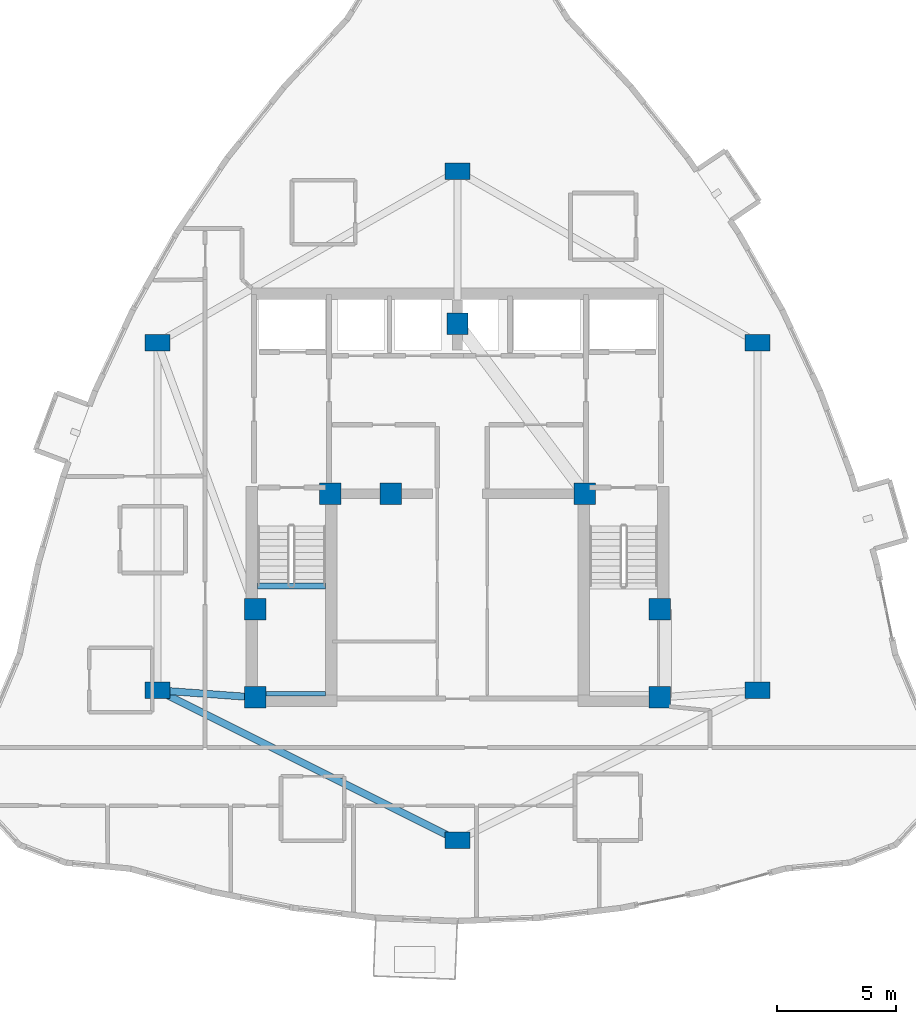
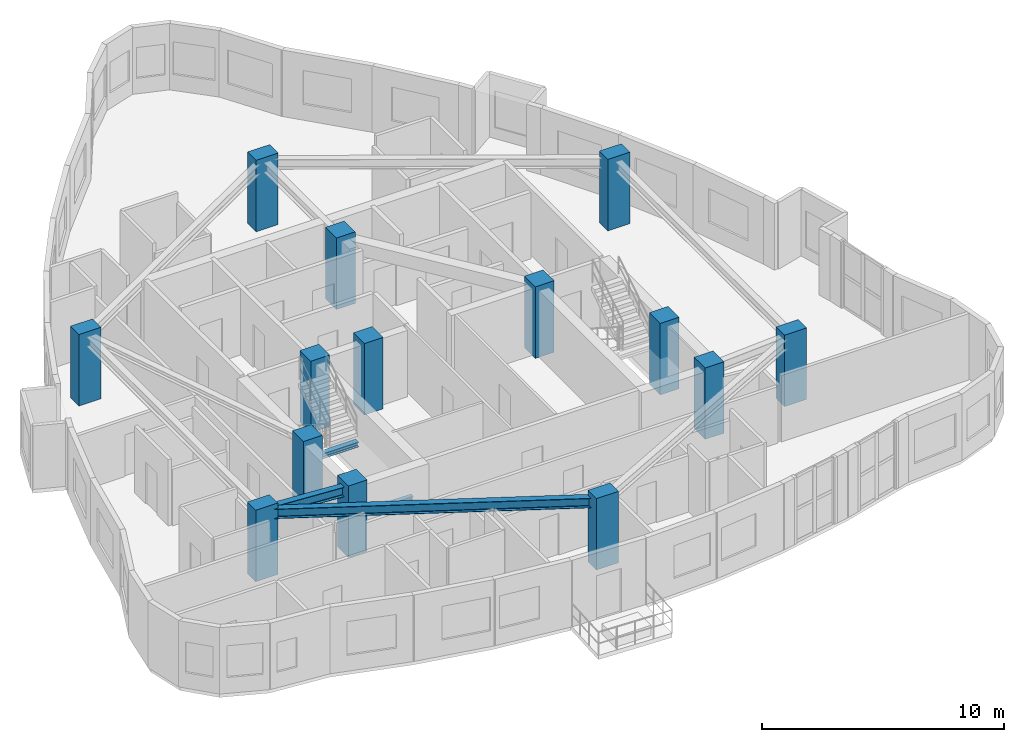
# One storey, part 1 of 15: 14 columns, 4 beams.
"""IFC4 building model written with IfcOpenShell, lengths in metres."""

from ifc_helpers import new_model, si_unit, direction, frame, origin, origin_2d, place, context, subcontext, project, spatial, rectangle, i_section, extrude, material, material_profile, profile_set, type_object, element, save


model = new_model("IFC4")

# Units and contexts
model_context = context("Model", 3, precision=1e-05, world=origin(), true_north=direction((0.0, 1.0)))
body_context = subcontext(model_context, "Body", "Model", "MODEL_VIEW")
ifc_project = project(units=[si_unit("LENGTHUNIT", "METRE"), si_unit("AREAUNIT", "SQUARE_METRE"), si_unit("VOLUMEUNIT", "CUBIC_METRE"), si_unit("PLANEANGLEUNIT", "RADIAN"), si_unit("MASSUNIT", "GRAM", prefix="KILO")], contexts=[model_context])

# Site, building, storey
site_placement = place(None, origin())
site = spatial("IfcSite", under=ifc_project, at=site_placement, CompositionType="ELEMENT")
building_placement = place(site_placement, origin())
building = spatial("IfcBuilding", under=site, at=building_placement, Name="Miruveldt Soraemaru", CompositionType="ELEMENT")
storey_placement = place(building_placement, frame((0.0, 0.0, 234.0)))
storey = spatial("IfcBuildingStorey", under=building, at=storey_placement, Name="L64", CompositionType="ELEMENT", Elevation=234.0)

# Columns
ifc_material_1 = material(Name="Concrete C50/60 (50 MPa)", Category="concrete")
ifc_material_profile_1 = material_profile(ifc_material_1, rectangle(XDim=0.89990234375, YDim=0.89990234375, at=origin_2d()), Name="Concrete C50/60 (50 MPa)", Category="concrete")
ifc_profile_set_1 = profile_set([ifc_material_profile_1], Name="Concrete C50/60 (50 MPa)")
column_type_1 = type_object("IfcColumnType", Name="COL-CORE-900", PredefinedType="COLUMN", material=ifc_profile_set_1)
for number, where, z_axis, x_axis, name in (
    (1, (35.5, 35.5, 0.0), (0.0, 0.0, 1.0), (1.0, 0.0, 0.0), "L64 Structural Column CC1"),
    (2, (38.64990234375, 44.050048828125, 0.0), (0.0, 0.0, 1.0), (1.0, 0.0, 0.0), "L64 Structural Column CC2"),
    (3, (52.5, 35.5, 0.0), (0.0, 0.0, 1.0), (1.0, 0.0, 0.0), "L64 Structural Column CC3"),
    (4, (52.5, 39.199951171875, 0.0), (0.0, 0.0, 1.0), (1.0, 0.0, 0.0), "L64 Structural Column CC4"),
    (5, (49.35009765625, 44.050048828125, 0.0), (0.0, 0.0, 1.0), (1.0, 0.0, 0.0), "L64 Structural Column CC5"),
    (6, (44.0, 51.199951171875, 0.0), (0.0, 0.0, 1.0), (1.0, 0.0, 0.0), "L64 Structural Column CC6"),
    (7, (35.5, 39.199951171875, 0.0), (0.0, 0.0, 1.0), (1.0, 0.0, 0.0), "L64 Structural Column CC7"),
    (8, (41.199951171875, 44.050048828125, 0.0), (0.0, 0.0, 1.0), (1.0, 0.0, 0.0), "L64 Structural Column CC8"),
):
    element("IfcColumn", number, at=place(storey_placement, frame(where, z_axis=z_axis, x_axis=x_axis)), inside=storey, type_object=column_type_1, Name=name, PredefinedType="COLUMN", context=body_context, shape_type="SweptSolid", body=[
        extrude(rectangle(XDim=0.89990234375, YDim=0.89990234375, at=origin_2d()), origin(), (0.0, 0.0, 1.0), 3.60009765625),
    ])
ifc_material_2 = material(Name="Concrete C60/75 (60 MPa)", Category="concrete")
ifc_material_profile_2 = material_profile(ifc_material_2, rectangle(XDim=1.050048828125, YDim=0.699951171875, at=origin_2d()), Name="Concrete C60/75 (60 MPa)", Category="concrete")
ifc_profile_set_2 = profile_set([ifc_material_profile_2], Name="Concrete C60/75 (60 MPa)")
column_type_2 = type_object("IfcColumnType", Name="COL-TW-Z3", PredefinedType="COLUMN", material=ifc_profile_set_2)
for number, where, z_axis, x_axis, name in (
    (9, (44.0, 57.60009765625, 0.0), (0.0, 0.0, 1.0), (1.0, 0.0, 0.0), "L64 Structural Column IR01"),
    (10, (56.60009765625, 50.39990234375, 0.0), (0.0, 0.0, 1.0), (1.0, 0.0, 0.0), "L64 Structural Column IR02"),
    (11, (56.60009765625, 35.800048828125, 0.0), (0.0, 0.0, 1.0), (1.0, 0.0, 0.0), "L64 Structural Column IR03"),
    (12, (44.0, 29.5, 0.0), (0.0, 0.0, 1.0), (1.0, 0.0, 0.0), "L64 Structural Column IR04"),
    (13, (31.39990234375, 35.800048828125, 0.0), (0.0, 0.0, 1.0), (1.0, 0.0, 0.0), "L64 Structural Column IR05"),
    (14, (31.39990234375, 50.39990234375, 0.0), (0.0, 0.0, 1.0), (1.0, 0.0, 0.0), "L64 Structural Column IR06"),
):
    element("IfcColumn", number, at=place(storey_placement, frame(where, z_axis=z_axis, x_axis=x_axis)), inside=storey, type_object=column_type_2, Name=name, PredefinedType="COLUMN", context=body_context, shape_type="SweptSolid", body=[
        extrude(rectangle(XDim=1.050048828125, YDim=0.699951171875, at=origin_2d()), origin(), (0.0, 0.0, 1.0), 3.60009765625),
    ])

# Beams
ifc_material_3 = material(Name="Steel SM355 (355 MPa)", Category="steel")
ifc_material_profile_3 = material_profile(ifc_material_3, i_section(OverallWidth=0.300048828125, OverallDepth=0.488037109375, WebThickness=0.010986328125, FlangeThickness=0.01806640625, FilletRadius=0.02587890625, at=origin_2d()), Name="Steel SM355 (355 MPa)", Category="steel")
ifc_profile_set_3 = profile_set([ifc_material_profile_3], Name="Steel SM355 (355 MPa)")
beam_type_1 = type_object("IfcBeamType", Name="BM-ST-H488", PredefinedType="BEAM", material=ifc_profile_set_3)
beam_1_placement = place(storey_placement, frame((44.0, 29.5, 3.10107421875), z_axis=(-0.894427191, 0.4472135955, 0.0), x_axis=(-0.4472135955, -0.894427191, 0.0)))
element("IfcBeam", 15, at=beam_1_placement, inside=storey, type_object=beam_type_1, Name="L64 Inner Ring Girder 4", PredefinedType="BEAM", context=body_context, shape_type="SweptSolid", body=[
    extrude(i_section(OverallWidth=0.300048828125, OverallDepth=0.488037109375, WebThickness=0.010986328125, FlangeThickness=0.01806640625, FilletRadius=0.02587890625, at=origin_2d()), origin(), (0.0, 0.0, 1.0), 14.08740234375),
])
beam_2_placement = place(storey_placement, frame((35.5, 35.5, 3.10107421875), z_axis=(-0.997332985605, 0.072985723431, 0.0), x_axis=(-0.072985723431, -0.997332985605, 0.0)))
element("IfcBeam", 16, at=beam_2_placement, inside=storey, type_object=beam_type_1, Name="L64 Core-to-Inner Radial Girder 5", PredefinedType="BEAM", context=body_context, shape_type="SweptSolid", body=[
    extrude(i_section(OverallWidth=0.300048828125, OverallDepth=0.488037109375, WebThickness=0.010986328125, FlangeThickness=0.01806640625, FilletRadius=0.02587890625, at=origin_2d()), origin(), (0.0, 0.0, 1.0), 4.111083984375),
])
ifc_material_profile_4 = material_profile(ifc_material_3, i_section(OverallWidth=0.199951171875, OverallDepth=0.199951171875, WebThickness=0.008056640625, FlangeThickness=0.011962890625, FilletRadius=0.012939453125, at=origin_2d()), Name="Steel SM355 (355 MPa)", Category="steel")
ifc_profile_set_4 = profile_set([ifc_material_profile_4], Name="Steel SM355 (355 MPa)")
beam_type_2 = type_object("IfcBeamType", Name="BM-ST-LND200", PredefinedType="BEAM", material=ifc_profile_set_4)
beam_3_placement = place(storey_placement, frame((35.60009765625, 35.64990234375, 1.5), z_axis=(1.0, 0.0, 0.0), x_axis=(0.0, 1.0, 0.0)))
element("IfcBeam", 17, at=beam_3_placement, inside=storey, type_object=beam_type_2, Name="L64 ST1 Landing End Beam 1B", PredefinedType="BEAM", context=body_context, shape_type="SweptSolid", body=[
    extrude(i_section(OverallWidth=0.199951171875, OverallDepth=0.199951171875, WebThickness=0.008056640625, FlangeThickness=0.011962890625, FilletRadius=0.012939453125, at=origin_2d()), origin(), (0.0, 0.0, 1.0), 2.849853515625),
])
ifc_material_profile_5 = material_profile(ifc_material_3, i_section(OverallWidth=0.25, OverallDepth=0.25, WebThickness=0.009033203125, FlangeThickness=0.013916015625, FilletRadius=0.01611328125, at=origin_2d()), Name="Steel SM355 (355 MPa)", Category="steel")
ifc_profile_set_5 = profile_set([ifc_material_profile_5], Name="Steel SM355 (355 MPa)")
beam_type_3 = type_object("IfcBeamType", Name="BM-ST-LND250", PredefinedType="BEAM", material=ifc_profile_set_5)
beam_4_placement = place(storey_placement, frame((35.60009765625, 40.179931640625, 1.47509765625), z_axis=(1.0, 0.0, 0.0), x_axis=(0.0, 1.0, 0.0)))
element("IfcBeam", 18, at=beam_4_placement, inside=storey, type_object=beam_type_3, Name="L64 ST1 Landing Support Beam 1A", PredefinedType="BEAM", context=body_context, shape_type="SweptSolid", body=[
    extrude(i_section(OverallWidth=0.25, OverallDepth=0.25, WebThickness=0.009033203125, FlangeThickness=0.013916015625, FilletRadius=0.01611328125, at=origin_2d()), origin(), (0.0, 0.0, 1.0), 2.849853515625),
])

save(model, "model.ifc")
